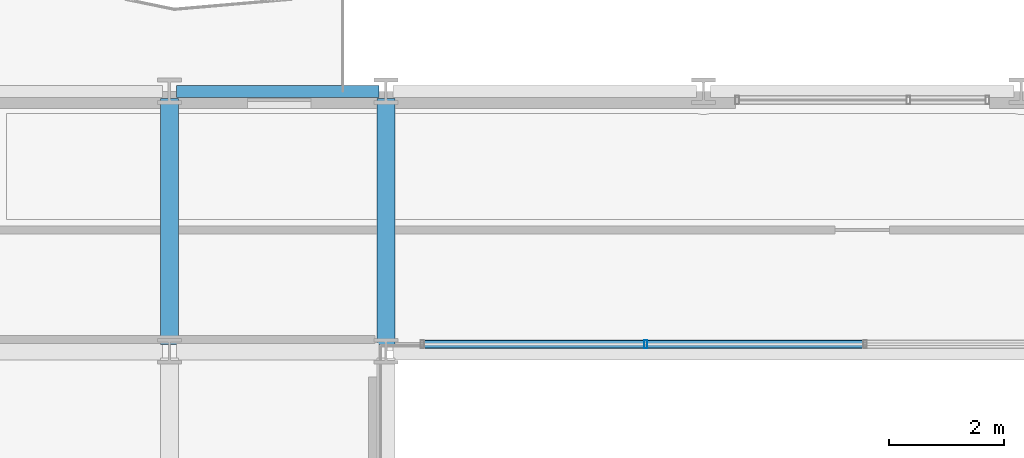
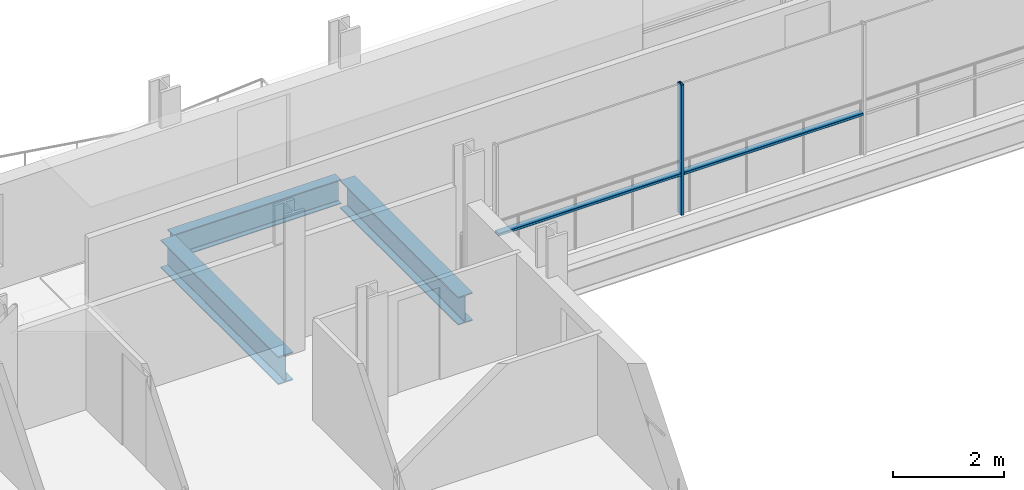
# One storey, part 9 of 38: 3 beams, 3 members, 1 element without a shape of its own.
"""IFC4 building model written with IfcOpenShell, lengths in metres."""

from ifc_helpers import new_model, si_unit, direction, frame, origin, origin_2d, place, context, subcontext, project, spatial, hollow_rectangle, i_section, extrude, material, layer, layer_set, material_profile, profile_set, type_object, element, aggregate, save


model = new_model("IFC4")

# Units and contexts
model_context = context("Model", 3, precision=1e-05, world=origin(), true_north=direction((0.0, 1.0)))
body_context = subcontext(model_context, "Body", "Model", "MODEL_VIEW")
ifc_project = project(units=[si_unit("LENGTHUNIT", "METRE"), si_unit("AREAUNIT", "SQUARE_METRE"), si_unit("VOLUMEUNIT", "CUBIC_METRE"), si_unit("PLANEANGLEUNIT", "RADIAN"), si_unit("MASSUNIT", "GRAM", prefix="KILO")], contexts=[model_context])

# Site, building, storey
site_placement = place(None, origin())
site = spatial("IfcSite", under=ifc_project, at=site_placement, CompositionType="ELEMENT")
building_placement = place(site_placement, origin())
building = spatial("IfcBuilding", under=site, at=building_placement, Name="Brevholm Reach", CompositionType="ELEMENT")
storey_placement = place(building_placement, frame((0.0, 0.0, 65.199951171875)))
storey = spatial("IfcBuildingStorey", under=building, at=storey_placement, Name="L18", CompositionType="ELEMENT", Elevation=65.199951171875)

# Beams
ifc_material_1 = material(Name="Structural Steel S355J2", Category="steel")
ifc_material_profile_1 = material_profile(ifc_material_1, i_section(OverallWidth=0.210693359375, OverallDepth=0.53955078125, WebThickness=0.01171875, FlangeThickness=0.018798828125, FilletRadius=0.0126953125, at=origin_2d()), Name="UKB 533x210x109")
ifc_profile_set_1 = profile_set([ifc_material_profile_1], Name="Structural Steel S355J2")
beam_type_1 = type_object("IfcBeamType", Name="BM-SP539", PredefinedType="SPANDREL", material=ifc_profile_set_1)
beam_placement = place(storey_placement, frame((18.1201171875, 31.0, -0.499755859375), z_axis=(1.0, 0.0, 0.0), x_axis=(0.0, 1.0, 0.0)))
element("IfcBeam", 1, at=beam_placement, inside=storey, type_object=beam_type_1, Name="L18 SP-01B Framing Beam", PredefinedType="SPANDREL", context=body_context, shape_type="SweptSolid", body=[
    extrude(i_section(OverallWidth=0.210693359375, OverallDepth=0.53955078125, WebThickness=0.01171875, FlangeThickness=0.018798828125, FilletRadius=0.0126953125, at=origin_2d()), origin(), (0.0, 0.0, 1.0), 3.509765625),
])
ifc_material_2 = material(Name="Structural Steel S355J2", Category="steel")
ifc_material_profile_2 = material_profile(ifc_material_2, i_section(OverallWidth=0.30712890625, OverallDepth=0.6201171875, WebThickness=0.01416015625, FlangeThickness=0.023681640625, FilletRadius=0.0166015625, at=origin_2d()), Name="UKB 610x305x179")
ifc_profile_set_2 = profile_set([ifc_material_profile_2], Name="Structural Steel S355J2")
beam_type_2 = type_object("IfcBeamType", Name="BM-UKB610H", PredefinedType="USERDEFINED", material=ifc_profile_set_2)
for number, where, z_axis, x_axis, name in (
    (2, (18.0, 26.6201171875, -0.5400390625), (0.0, 1.0, 0.0), (-1.0, 0.0, 0.0), "L18 G-06 Framing Beam"),
    (3, (21.75, 26.6201171875, -0.5400390625), (0.0, 1.0, 0.0), (-1.0, 0.0, 0.0), "L18 G-06 Framing Beam"),
):
    element("IfcBeam", number, at=place(storey_placement, frame(where, z_axis=z_axis, x_axis=x_axis)), inside=storey, type_object=beam_type_2, Name=name, ObjectType="GIRDER", PredefinedType="USERDEFINED", context=body_context, shape_type="SweptSolid", body=[
        extrude(i_section(OverallWidth=0.30712890625, OverallDepth=0.6201171875, WebThickness=0.01416015625, FlangeThickness=0.023681640625, FilletRadius=0.0166015625, at=origin_2d()), origin(), (0.0, 0.0, 1.0), 4.259765625),
    ])

# Curtain wall, members
ifc_material_3 = material(Name="Dark Anodised Aluminium 6063-T6 and Solar-Control Glass", Category="aluminium")
ifc_layer = layer(ifc_material_3, 0.139892578125)
ifc_layer_set = layer_set([ifc_layer], Name="Dark Anodised Aluminium 6063-T6 and Solar-Control Glass")
curtain_wall_type = type_object("IfcCurtainWallType", Name="CW-02", PredefinedType="NOTDEFINED", material=ifc_layer_set)
curtain_wall_placement = place(storey_placement, origin())
curtain_wall = element("IfcCurtainWall", 4, at=curtain_wall_placement, inside=storey, type_object=curtain_wall_type, Name="L18 Curtain Wall CW-02", PredefinedType="NOTDEFINED")
ifc_material_4 = material(Name="Dark Anodised Aluminium 6063-T6", Category="aluminium")
ifc_material_profile_3 = material_profile(ifc_material_4, hollow_rectangle(XDim=0.06005859375, YDim=0.139892578125, WallThickness=0.0048828125, InnerFilletRadius=0.0048828125, OuterFilletRadius=0.010009765625, at=origin_2d()), Name="RHS 140x60x5")
ifc_profile_set_3 = profile_set([ifc_material_profile_3], Name="Dark Anodised Aluminium 6063-T6")
member_type_1 = type_object("IfcMemberType", Name="CWM-140", PredefinedType="MULLION", material=ifc_profile_set_3)
member_1_placement = place(storey_placement, frame((26.25, 26.6201171875, 0.0), z_axis=(0.0, 0.0, 1.0), x_axis=(-1.0, 0.0, 0.0)))
member_1 = element("IfcMember", 5, at=member_1_placement, type_object=member_type_1, Name="CM-140 Mullion 4", PredefinedType="MULLION", context=body_context, shape_type="SweptSolid", body=[
    extrude(hollow_rectangle(XDim=0.06005859375, YDim=0.139892578125, WallThickness=0.0048828125, InnerFilletRadius=0.0048828125, OuterFilletRadius=0.010009765625, at=origin_2d()), origin(), (0.0, 0.0, 1.0), 2.8701171875),
])
ifc_material_5 = material(Name="Dark Anodised Aluminium 6063-T6", Category="aluminium")
ifc_material_profile_4 = material_profile(ifc_material_5, hollow_rectangle(XDim=0.06005859375, YDim=0.139892578125, WallThickness=0.0048828125, InnerFilletRadius=0.0048828125, OuterFilletRadius=0.010009765625, at=origin_2d()), Name="RHS 140x60x5")
ifc_profile_set_4 = profile_set([ifc_material_profile_4], Name="Dark Anodised Aluminium 6063-T6")
member_type_2 = type_object("IfcMemberType", Name="CWT-140", PredefinedType="NOTDEFINED", material=ifc_profile_set_4)
member_2_placement = place(storey_placement, frame((30.02001953125, 26.6201171875, 0.900146484375), z_axis=(-1.0, 0.0, 0.0), x_axis=(0.0, 0.0, 1.0)))
member_2 = element("IfcMember", 6, at=member_2_placement, type_object=member_type_2, Name="CT-140 Transom 3.1", ObjectType="TRANSOM", PredefinedType="USERDEFINED", context=body_context, shape_type="SweptSolid", body=[
    extrude(hollow_rectangle(XDim=0.06005859375, YDim=0.139892578125, WallThickness=0.0048828125, InnerFilletRadius=0.0048828125, OuterFilletRadius=0.010009765625, at=origin_2d()), origin(), (0.0, 0.0, 1.0), 3.739990234375),
])
member_3_placement = place(storey_placement, frame((26.219970703125, 26.6201171875, 0.900146484375), z_axis=(-1.0, 0.0, 0.0), x_axis=(0.0, 0.0, 1.0)))
member_3 = element("IfcMember", 7, at=member_3_placement, type_object=member_type_2, Name="CT-140 Transom 4.1", ObjectType="TRANSOM", PredefinedType="USERDEFINED", context=body_context, shape_type="SweptSolid", body=[
    extrude(hollow_rectangle(XDim=0.06005859375, YDim=0.139892578125, WallThickness=0.0048828125, InnerFilletRadius=0.0048828125, OuterFilletRadius=0.010009765625, at=origin_2d()), origin(), (0.0, 0.0, 1.0), 3.81005859375),
])
aggregate(curtain_wall, [member_1, member_2, member_3])

save(model, "model.ifc")
